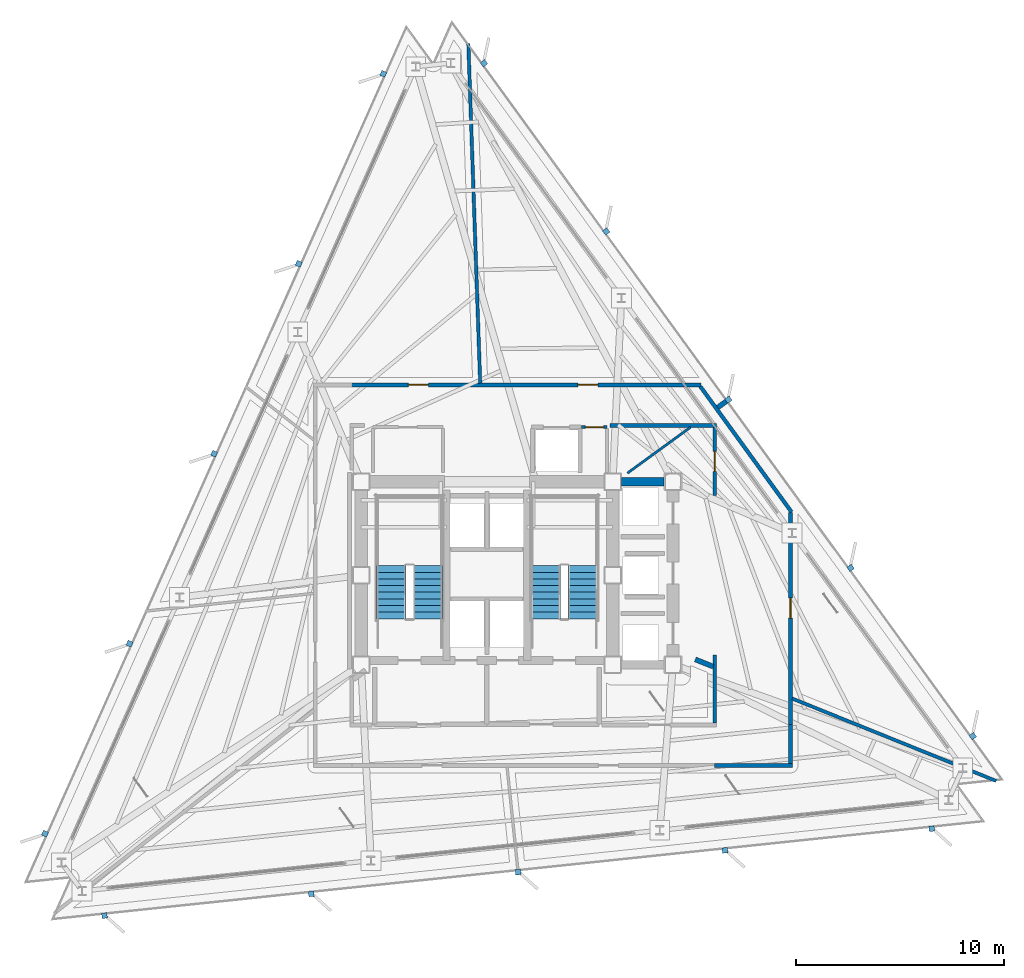
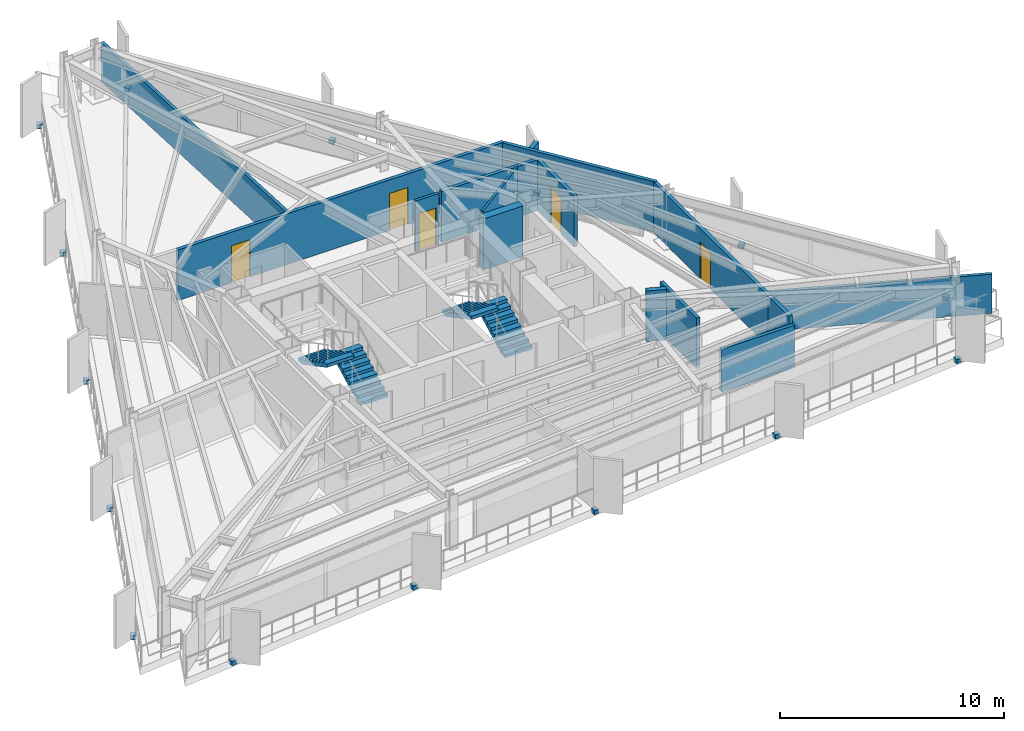
# One storey, part 9 of 12: 15 discrete accessories, 15 walls, 5 doors, 4 stair flights, 5 openings, 2 elements without a shape of their own.
"""IFC4 building model written with IfcOpenShell, lengths in metres."""

import ifcopenshell
import ifcopenshell.guid

model = None  # the IFC model being written
_history = None  # IfcOwnerHistory: only IFC2X3 demands one
_inside = {}  # id of a spatial element -> (the spatial element, [elements in it])
_under = {}  # id of a project, library or spatial element -> (it, [spatial elements below it])
_declared = {}  # id of a project -> (the project, [libraries it declares])
_typed = {}  # id of a type object -> (the type object, [elements of that type])
_made_of = {}  # id of a material, layer set ... -> (it, [elements and type objects made of it])


def new_model(schema):
    """Start an empty IFC model of exactly this schema.

    Asked for "IFC4X3", IfcOpenShell would pick the latest addendum, in which some entities
    have other attributes; the version numbers below select the first issue.
    IFC2X3 requires an IfcOwnerHistory on every rooted entity: one is made here for all.
    """
    global model, _history
    if schema == "IFC4X3":
        model = ifcopenshell.file(schema_version=(4, 3, 0, 0))
    else:
        model = ifcopenshell.file(schema=schema)
    _inside.clear()
    _under.clear()
    _declared.clear()
    _typed.clear()
    _made_of.clear()
    _history = None
    if model.schema == "IFC2X3":
        org = make("IfcOrganization", Name="unknown")
        user = make(
            "IfcPersonAndOrganization",
            ThePerson=make("IfcPerson", FamilyName="unknown"),
            TheOrganization=org,
        )
        app = make(
            "IfcApplication",
            ApplicationDeveloper=org,
            Version="unknown",
            ApplicationFullName="unknown",
            ApplicationIdentifier="unknown",
        )
        _history = make(
            "IfcOwnerHistory",
            OwningUser=user,
            OwningApplication=app,
            ChangeAction="ADDED",
            CreationDate=0,
        )
    return model


def make(cls, **values):
    """One entity of the class cls with the attributes given. An attribute that is None is left unset."""
    return model.create_entity(
        cls, **{name: value for name, value in values.items() if value is not None}
    )


def rooted(cls, **values):
    """An entity with a GlobalId (a new one), such as an element, a storey or a relation."""
    return make(cls, GlobalId=ifcopenshell.guid.new(), OwnerHistory=_history, **values)


def si_unit(unit_type, name, prefix=None):
    """IfcSIUnit, for example si_unit("LENGTHUNIT", "METRE", prefix="MILLI")."""
    return make("IfcSIUnit", UnitType=unit_type, Prefix=prefix, Name=name)


def assignment(units):
    """IfcUnitAssignment: the units of a project."""
    return None if units is None else make("IfcUnitAssignment", Units=units)


def point(xyz):
    """IfcCartesianPoint."""
    return None if xyz is None else make("IfcCartesianPoint", Coordinates=xyz)


def direction(xyz):
    """IfcDirection."""
    return None if xyz is None else make("IfcDirection", DirectionRatios=xyz)


def frame(location, z_axis=None, x_axis=None):
    """IfcAxis2Placement3D, a coordinate frame: its origin and axes. An axis left out is left unset."""
    return make(
        "IfcAxis2Placement3D",
        Location=point(location),
        Axis=direction(z_axis),
        RefDirection=direction(x_axis),
    )


def frame_2d(location, x_axis=None):
    """IfcAxis2Placement2D, a coordinate frame in the plane: its origin and x axis."""
    return make(
        "IfcAxis2Placement2D", Location=point(location), RefDirection=direction(x_axis)
    )


def origin():
    """The frame at (0, 0, 0) with its axes left unset."""
    return frame((0.0, 0.0, 0.0))


def origin_2d():
    """The frame at (0, 0) in the plane with its x axis left unset."""
    return frame_2d((0.0, 0.0))


def place(relative_to, where):
    """IfcLocalPlacement: puts the frame where relative to a parent placement (None: the world)."""
    return make(
        "IfcLocalPlacement", PlacementRelTo=relative_to, RelativePlacement=where
    )


def context(
    kind, dimensions, precision=None, world=None, true_north=None, identifier=None
):
    """IfcGeometricRepresentationContext, for example the 3D "Model" context."""
    return make(
        "IfcGeometricRepresentationContext",
        ContextIdentifier=identifier,
        ContextType=kind,
        CoordinateSpaceDimension=dimensions,
        Precision=precision,
        WorldCoordinateSystem=world,
        TrueNorth=true_north,
    )


def subcontext(parent, identifier, kind, view, scale=None):
    """IfcGeometricRepresentationSubContext, for example "Body" below "Model"."""
    return make(
        "IfcGeometricRepresentationSubContext",
        ContextIdentifier=identifier,
        ContextType=kind,
        ParentContext=parent,
        TargetScale=scale,
        TargetView=view,
    )


def project(units=None, contexts=None):
    """IfcProject with its units and contexts."""
    return rooted(
        "IfcProject",
        Name="project",
        RepresentationContexts=contexts,
        UnitsInContext=assignment(units),
    )


def spatial(cls, under=None, at=None, **own):
    """A site, building, storey or space (cls), placed at a placement, below another one or the project."""
    s = rooted(cls, ObjectPlacement=at, **own)
    if under is not None:
        _under.setdefault(under.id(), (under, []))[1].append(s)
    return s


def polyline(points):
    """IfcPolyline through the points."""
    return make("IfcPolyline", Points=[point(p) for p in points])


def profile(cls, at=None, kind="AREA", **sizes):
    """A parametric profile (cls). Its sizes go by their IFC names, for example OverallWidth=200.0."""
    return make(cls, ProfileType=kind, Position=at, **sizes)


def rectangle(**sizes):
    """IfcRectangleProfileDef."""
    return profile("IfcRectangleProfileDef", **sizes)


def outline(outer, holes=None, kind="AREA"):
    """IfcArbitraryClosedProfileDef: a profile drawn as a closed curve; with holes, ...WithVoids."""
    if holes is None:
        return make("IfcArbitraryClosedProfileDef", ProfileType=kind, OuterCurve=outer)
    return make(
        "IfcArbitraryProfileDefWithVoids",
        ProfileType=kind,
        OuterCurve=outer,
        InnerCurves=holes,
    )


def extrude(swept, where, along, depth):
    """IfcExtrudedAreaSolid: the profile swept, set in the frame where, extruded along a direction by depth."""
    return make(
        "IfcExtrudedAreaSolid",
        SweptArea=swept,
        Position=where,
        ExtrudedDirection=direction(along),
        Depth=depth,
    )


def shape(context_of_items, identifier, shape_type, items):
    """IfcShapeRepresentation: the items that make up one representation, for example the "Body"."""
    return make(
        "IfcShapeRepresentation",
        ContextOfItems=context_of_items,
        RepresentationIdentifier=identifier,
        RepresentationType=shape_type,
        Items=items,
    )


def material(Name=None, Category=None):
    """IfcMaterial."""
    return make("IfcMaterial", Name=Name, Category=Category)


def layer(
    of_material, thickness, ventilated=None, Name=None, Category=None, Priority=None
):
    """IfcMaterialLayer: one layer of a wall or slab, of a material (None: an air gap)."""
    return make(
        "IfcMaterialLayer",
        Material=of_material,
        LayerThickness=thickness,
        IsVentilated=ventilated,
        Name=Name,
        Category=Category,
        Priority=Priority,
    )


def layer_set(layers, Name=None):
    """IfcMaterialLayerSet."""
    return make("IfcMaterialLayerSet", MaterialLayers=layers, LayerSetName=Name)


def made_of(thing, what):
    """Note that an element or type object is made of a material, layer set ...; save() writes the relation."""
    if what is not None:
        _made_of.setdefault(what.id(), (what, []))[1].append(thing)
    return thing


def type_object(cls, material=None, **own):
    """A type object (cls), such as IfcWallType, which elements share."""
    return made_of(rooted(cls, **own), material)


def element(
    cls,
    number,
    at=None,
    inside=None,
    cuts=None,
    type_object=None,
    material=None,
    context=None,
    identifier="Body",
    shape_type=None,
    held_by="IfcProductDefinitionShape",
    body=None,
    shapes=None,
    **own,
):
    """One element of the class cls, such as IfcWall. Its Tag is "e" and its number.

    at: its placement. inside: the storey or other place that contains it. cuts: it is an
    opening in that element (IfcRelVoidsElement). A single representation is given by context,
    identifier, shape_type and body (its items); several are given by shapes. held_by: the class
    of the entity that holds the representations. save() writes the other relations.
    """
    e = rooted(cls, Tag="e%d" % number, ObjectPlacement=at, **own)
    if body is not None:
        shapes = [shape(context, identifier, shape_type, body)]
    if shapes is not None:
        e.Representation = make(held_by, Representations=shapes)
    if inside is not None:
        _inside.setdefault(inside.id(), (inside, []))[1].append(e)
    if cuts is not None:
        rooted(
            "IfcRelVoidsElement", RelatingBuildingElement=cuts, RelatedOpeningElement=e
        )
    if type_object is not None:
        _typed.setdefault(type_object.id(), (type_object, []))[1].append(e)
    return made_of(e, material)


def fill(opening, filler):
    """IfcRelFillsElement: the door or window that sits in an opening."""
    return rooted(
        "IfcRelFillsElement",
        RelatingOpeningElement=opening,
        RelatedBuildingElement=filler,
    )


def aggregate(whole, parts):
    """IfcRelAggregates: a whole, such as a stair, and the parts it consists of."""
    return rooted("IfcRelAggregates", RelatingObject=whole, RelatedObjects=parts)


def save(model, path):
    """Write the relations noted so far, then the file.

    IfcRelAggregates (storeys below a building ...), IfcRelContainedInSpatialStructure (elements
    in a storey), IfcRelDefinesByType, IfcRelAssociatesMaterial and IfcRelDeclares: one each for
    every whole, place, type object, material and project.
    """
    for whole, parts in _under.values():
        aggregate(whole, parts)
    for where, things in _inside.values():
        rooted(
            "IfcRelContainedInSpatialStructure",
            RelatedElements=things,
            RelatingStructure=where,
        )
    for kind, things in _typed.values():
        rooted("IfcRelDefinesByType", RelatedObjects=things, RelatingType=kind)
    for what, things in _made_of.values():
        rooted("IfcRelAssociatesMaterial", RelatedObjects=things, RelatingMaterial=what)
    for by, libraries in _declared.values():
        rooted("IfcRelDeclares", RelatingContext=by, RelatedDefinitions=libraries)
    model.write(path)


model = new_model("IFC4")

# Units and contexts
model_context = context("Model", 3, precision=1e-05, world=origin(), true_north=direction((0.0, 1.0)))
body_context = subcontext(model_context, "Body", "Model", "MODEL_VIEW")
ifc_project = project(units=[si_unit("LENGTHUNIT", "METRE"), si_unit("AREAUNIT", "SQUARE_METRE"), si_unit("VOLUMEUNIT", "CUBIC_METRE"), si_unit("PLANEANGLEUNIT", "RADIAN"), si_unit("MASSUNIT", "GRAM", prefix="KILO")], contexts=[model_context])

# Site, building, storey
site_placement = place(None, origin())
site = spatial("IfcSite", under=ifc_project, at=site_placement, CompositionType="ELEMENT")
building_placement = place(site_placement, origin())
building = spatial("IfcBuilding", under=site, at=building_placement, Name="Rocaltana Carrier Exchange", CompositionType="ELEMENT")
storey_placement = place(building_placement, frame((0.0, 0.0, 104.639892578125)))
storey = spatial("IfcBuildingStorey", under=building, at=storey_placement, Name="L32", CompositionType="ELEMENT", Elevation=104.639892578125)

# Walls
ifc_material_1 = material(Name="Double Acoustic Gypsum Partition", Category="gypsum")
ifc_layer_1 = layer(ifc_material_1, 0.159912109375)
ifc_layer_set_1 = layer_set([ifc_layer_1], Name="Double Acoustic Gypsum Partition")
wall_type_1 = type_object("IfcWallType", Name="Acoustic Studio Partition 160 EI60", PredefinedType="PARTITIONING", material=ifc_layer_set_1)
wall_1_placement = place(storey_placement, frame((14.679931640625, -5.93115234375, 0.0), z_axis=(0.0, 0.0, 1.0), x_axis=(0.927187622353, -0.374597267682, 0.0)))
element("IfcWall", 1, at=wall_1_placement, inside=storey, type_object=wall_type_1, Name="L32 Suite Divider Wall D6", PredefinedType="PARTITIONING", context=body_context, shape_type="SweptSolid", body=[
    extrude(rectangle(XDim=10.586181640625, YDim=0.159912109375, at=frame_2d((5.29296875, 0.0))), origin(), (0.0, 0.0, 1.0), 2.132080078125),
])
wall_2_placement = place(storey_placement, frame((-0.322265625, 9.22998046875, 0.0), z_axis=(0.0, 0.0, 1.0), x_axis=(-0.034907078812, 0.999390562217, 0.0)))
element("IfcWall", 2, at=wall_2_placement, inside=storey, type_object=wall_type_1, Name="L32 Suite Divider Wall D9", PredefinedType="PARTITIONING", context=body_context, shape_type="SweptSolid", body=[
    extrude(rectangle(XDim=16.35205078125, YDim=0.159912109375, at=frame_2d((8.176025390625, 0.0))), origin(), (0.0, 0.0, 1.0), 2.132080078125),
])
ifc_material_2 = material(Name="Concrete C50/60", Category="concrete")
ifc_layer_2 = layer(ifc_material_2, 0.39990234375)
ifc_layer_set_2 = layer_set([ifc_layer_2], Name="Concrete C50/60")
wall_type_2 = type_object("IfcWallType", Name="Core Internal Shear Wall 400", PredefinedType="SHEAR", material=ifc_layer_set_2)
wall_3_placement = place(storey_placement, frame((6.47509765625, 4.5, 0.0), z_axis=(0.0, 0.0, 1.0), x_axis=(1.0, 0.0, 0.0)))
element("IfcWall", 3, at=wall_3_placement, inside=storey, type_object=wall_type_2, Name="L32 Core Shear Wall CW-EWN", PredefinedType="SHEAR", context=body_context, shape_type="SweptSolid", body=[
    extrude(rectangle(XDim=2.0498046875, YDim=0.39990234375, at=frame_2d((1.02490234375, 0.0))), origin(), (0.0, 0.0, 1.0), 2.7880859375),
])

# Wall, openings, doors
ifc_material_3 = material(Name="Gypsum & Steel Stud Partition", Category="steel")
ifc_layer_3 = layer(ifc_material_3, 0.179931640625)
ifc_layer_set_3 = layer_set([ifc_layer_3], Name="Gypsum & Steel Stud Partition")
wall_type_3 = type_object("IfcWallType", Name="Corridor Fire Partition 180 EI60", PredefinedType="PARTITIONING", material=ifc_layer_set_3)
wall_4_placement = place(storey_placement, frame((-6.52001953125, 9.14990234375, 0.0), z_axis=(0.0, 0.0, 1.0), x_axis=(1.0, 0.0, 0.0)))
wall_4 = element("IfcWall", 4, at=wall_4_placement, inside=storey, type_object=wall_type_3, Name="L32 Corridor Partition 6", PredefinedType="PARTITIONING", context=body_context, shape_type="SweptSolid", body=[
    extrude(rectangle(XDim=16.820068359375, YDim=0.179931640625, at=frame_2d((8.41015625, 0.0))), origin(), (0.0, 0.0, 1.0), 2.76318359375),
])
opening_1_placement = place(wall_4_placement, frame((10.8984375, 0.0, 0.0)))
opening_1 = element("IfcOpeningElement", 5, at=opening_1_placement, cuts=wall_4, Name="Opening D-RM098", PredefinedType="OPENING", context=body_context, shape_type="SweptSolid", body=[
    extrude(rectangle(XDim=0.9599609375, YDim=2.02001953125, at=frame_2d((0.47998046875, 1.010009765625))), frame((0.0, 0.099853515625, 0.0), z_axis=(0.0, -1.0, 0.0), x_axis=(1.0, 0.0, 0.0)), (0.0, 0.0, 1.0), 0.199951171875),
])
opening_2_placement = place(wall_4_placement, frame((2.7490234375, 0.0, 0.0)))
opening_2 = element("IfcOpeningElement", 6, at=opening_2_placement, cuts=wall_4, Name="Opening D-RM098", PredefinedType="OPENING", context=body_context, shape_type="SweptSolid", body=[
    extrude(rectangle(XDim=0.9599609375, YDim=2.02001953125, at=frame_2d((0.47998046875, 1.010009765625))), frame((0.0, 0.099853515625, 0.0), z_axis=(0.0, -1.0, 0.0), x_axis=(1.0, 0.0, 0.0)), (0.0, 0.0, 1.0), 0.199951171875),
])
ifc_material_4 = material(Name="Engineered Hardwood Timber", Category="wood")
door_type_1 = type_object("IfcDoorType", Name="Workspace Single Door 960x2020", OperationType="NOTDEFINED", PredefinedType="DOOR", material=ifc_material_4)
door_1_placement = place(opening_1_placement, origin())
door_1 = element("IfcDoor", 7, at=door_1_placement, inside=storey, type_object=door_type_1, Name="L32 Quiet Focus Lounge Entrance Door", OperationType="SINGLE_SWING_RIGHT", OverallHeight=2.02001953125, OverallWidth=0.9599609375, PredefinedType="DOOR", context=body_context, shape_type="SweptSolid", body=[
    extrude(rectangle(XDim=0.9599609375, YDim=2.02001953125, at=frame_2d((0.47998046875, 1.010009765625))), frame((0.0, 0.02490234375, 0.0), z_axis=(0.0, -1.0, 0.0), x_axis=(1.0, 0.0, 0.0)), (0.0, 0.0, 1.0), 0.050048828125),
])
fill(opening_1, door_1)
door_2_placement = place(opening_2_placement, origin())
door_2 = element("IfcDoor", 8, at=door_2_placement, inside=storey, type_object=door_type_1, Name="L32 Cloud Architecture Office Entrance Door", OperationType="SINGLE_SWING_LEFT", OverallHeight=2.02001953125, OverallWidth=0.9599609375, PredefinedType="DOOR", context=body_context, shape_type="SweptSolid", body=[
    extrude(rectangle(XDim=0.9599609375, YDim=2.02001953125, at=frame_2d((0.47998046875, 1.010009765625))), frame((0.0, 0.02490234375, 0.0), z_axis=(0.0, -1.0, 0.0), x_axis=(1.0, 0.0, 0.0)), (0.0, 0.0, 1.0), 0.050048828125),
])
fill(opening_2, door_2)

# Wall
wall_5_placement = place(storey_placement, frame((10.262939453125, 9.0771484375, 0.0), z_axis=(0.0, 0.0, 1.0), x_axis=(0.587780951295, -0.809020119215, 0.0)))
element("IfcWall", 9, at=wall_5_placement, inside=storey, type_object=wall_type_3, Name="L32 Corridor Partition 7", PredefinedType="PARTITIONING", context=body_context, shape_type="SweptSolid", body=[
    extrude(rectangle(XDim=7.468505859375, YDim=0.179931640625, at=frame_2d((3.734375, 0.0))), origin(), (0.0, 0.0, 1.0), 2.76318359375),
])

# Wall, opening, door
wall_6_placement = place(storey_placement, frame((14.60009765625, 3.017578125, 0.0), z_axis=(0.0, 0.0, 1.0), x_axis=(0.0, -1.0, 0.0)))
wall_6 = element("IfcWall", 10, at=wall_6_placement, inside=storey, type_object=wall_type_3, Name="L32 Corridor Partition 8", PredefinedType="PARTITIONING", context=body_context, shape_type="SweptSolid", body=[
    extrude(rectangle(XDim=10.237548828125, YDim=0.179931640625, at=frame_2d((5.11865234375, 0.0))), origin(), (0.0, 0.0, 1.0), 2.76318359375),
])
opening_3_placement = place(wall_6_placement, frame((4.123779296875, 0.0, 0.0)))
opening_3 = element("IfcOpeningElement", 11, at=opening_3_placement, cuts=wall_6, Name="Opening D-RM098", PredefinedType="OPENING", context=body_context, shape_type="SweptSolid", body=[
    extrude(rectangle(XDim=0.9599609375, YDim=2.02001953125, at=frame_2d((0.47998046875, 1.010009765625))), frame((0.0, 0.099853515625, 0.0), z_axis=(0.0, -1.0, 0.0), x_axis=(1.0, 0.0, 0.0)), (0.0, 0.0, 1.0), 0.199951171875),
])
door_3_placement = place(opening_3_placement, origin())
door_3 = element("IfcDoor", 12, at=door_3_placement, inside=storey, type_object=door_type_1, Name="L32 Peering Conference Room Entrance Door", OperationType="SINGLE_SWING_RIGHT", OverallHeight=2.02001953125, OverallWidth=0.9599609375, PredefinedType="DOOR", context=body_context, shape_type="SweptSolid", body=[
    extrude(rectangle(XDim=0.9599609375, YDim=2.02001953125, at=frame_2d((0.47998046875, 1.010009765625))), frame((0.0, 0.02490234375, 0.0), z_axis=(0.0, -1.0, 0.0), x_axis=(1.0, 0.0, 0.0)), (0.0, 0.0, 1.0), 0.050048828125),
])
fill(opening_3, door_3)

# Walls
wall_7_placement = place(storey_placement, frame((14.60009765625, -7.179931640625, 0.0), z_axis=(0.0, 0.0, 1.0), x_axis=(0.0, -1.0, 0.0)))
element("IfcWall", 13, at=wall_7_placement, inside=storey, type_object=wall_type_3, Name="L32 Corridor Partition 9", PredefinedType="PARTITIONING", context=body_context, shape_type="SweptSolid", body=[
    extrude(rectangle(XDim=1.880126953125, YDim=0.179931640625, at=frame_2d((0.93994140625, 0.0))), origin(), (0.0, 0.0, 1.0), 2.76318359375),
])
wall_8_placement = place(storey_placement, frame((14.68994140625, -9.14990234375, 0.0), z_axis=(0.0, 0.0, 1.0), x_axis=(-1.0, 0.0, 0.0)))
element("IfcWall", 14, at=wall_8_placement, inside=storey, type_object=wall_type_3, Name="L32 Corridor Partition 10", PredefinedType="PARTITIONING", context=body_context, shape_type="SweptSolid", body=[
    extrude(rectangle(XDim=3.75, YDim=0.179931640625, at=frame_2d((1.875, 0.0))), origin(), (0.0, 0.0, 1.0), 2.330078125),
])
wall_9_placement = place(storey_placement, frame((10.9599609375, -7.110107421875, 0.0), z_axis=(0.0, 0.0, 1.0), x_axis=(0.0, 1.0, 0.0)))
element("IfcWall", 15, at=wall_9_placement, inside=storey, type_object=wall_type_3, Name="L32 Corridor Partition 13", PredefinedType="PARTITIONING", context=body_context, shape_type="SweptSolid", body=[
    extrude(rectangle(XDim=3.2705078125, YDim=0.179931640625, at=frame_2d((1.63525390625, 0.0))), origin(), (0.0, 0.0, 1.0), 2.76318359375),
])

# Wall, opening, door
wall_10_placement = place(storey_placement, frame((10.9599609375, 3.839599609375, 0.0), z_axis=(0.0, 0.0, 1.0), x_axis=(0.0, 1.0, 0.0)))
wall_10 = element("IfcWall", 16, at=wall_10_placement, inside=storey, type_object=wall_type_3, Name="L32 Corridor Partition 14", PredefinedType="PARTITIONING", context=body_context, shape_type="SweptSolid", body=[
    extrude(rectangle(XDim=3.2705078125, YDim=0.179931640625, at=frame_2d((1.63525390625, 0.0))), origin(), (0.0, 0.0, 1.0), 2.76318359375),
])
opening_4_placement = place(wall_10_placement, frame((1.1552734375, 0.0, 0.0)))
opening_4 = element("IfcOpeningElement", 17, at=opening_4_placement, cuts=wall_10, Name="Opening D-RM098", PredefinedType="OPENING", context=body_context, shape_type="SweptSolid", body=[
    extrude(rectangle(XDim=0.9599609375, YDim=2.02001953125, at=frame_2d((0.47998046875, 1.010009765625))), frame((0.0, 0.099853515625, 0.0), z_axis=(0.0, -1.0, 0.0), x_axis=(1.0, 0.0, 0.0)), (0.0, 0.0, 1.0), 0.199951171875),
])
door_4_placement = place(opening_4_placement, origin())
door_4 = element("IfcDoor", 18, at=door_4_placement, inside=storey, type_object=door_type_1, Name="L32 Network Operations Office Entrance Door", OperationType="SINGLE_SWING_LEFT", OverallHeight=2.02001953125, OverallWidth=0.9599609375, PredefinedType="DOOR", context=body_context, shape_type="SweptSolid", body=[
    extrude(rectangle(XDim=0.9599609375, YDim=2.02001953125, at=frame_2d((0.47998046875, 1.010009765625))), frame((0.0, 0.02490234375, 0.0), z_axis=(0.0, -1.0, 0.0), x_axis=(1.0, 0.0, 0.0)), (0.0, 0.0, 1.0), 0.050048828125),
])
fill(opening_4, door_4)

# Walls
wall_11_placement = place(storey_placement, frame((11.050048828125, 7.199951171875, 0.0), z_axis=(0.0, 0.0, 1.0), x_axis=(-1.0, 0.0, 0.0)))
element("IfcWall", 19, at=wall_11_placement, inside=storey, type_object=wall_type_3, Name="L32 Corridor Partition 15", PredefinedType="PARTITIONING", context=body_context, shape_type="SweptSolid", body=[
    extrude(rectangle(XDim=5.1201171875, YDim=0.179931640625, at=frame_2d((2.56005859375, 0.0))), origin(), (0.0, 0.0, 1.0), 2.76318359375),
])
ifc_material_5 = material(Name="Aluminium 6063-T6 & Acoustic Glass", Category="aluminium")
ifc_layer_4 = layer(ifc_material_5, 0.114990234375)
ifc_layer_set_4 = layer_set([ifc_layer_4], Name="Aluminium 6063-T6 & Acoustic Glass")
wall_type_4 = type_object("IfcWallType", Name="Demountable Glazed Lab Partition 115", PredefinedType="MOVABLE", material=ifc_layer_set_4)
wall_12_placement = place(storey_placement, frame((6.758056640625, 4.909912109375, 0.0), z_axis=(0.0, 0.0, 1.0), x_axis=(0.808985911181, 0.58782803226, 0.0)))
element("IfcWall", 20, at=wall_12_placement, inside=storey, type_object=wall_type_4, Name="L32 Suite Divider Wall D7", PredefinedType="MOVABLE", context=body_context, shape_type="SweptSolid", body=[
    extrude(rectangle(XDim=3.760009765625, YDim=0.114990234375, at=frame_2d((1.8798828125, 0.0))), origin(), (0.0, 0.0, 1.0), 2.76318359375),
])
ifc_material_6 = material(Name="Acoustic Calcium Silicate Partition", Category="gypsum")
ifc_layer_5 = layer(ifc_material_6, 0.239990234375)
ifc_layer_set_5 = layer_set([ifc_layer_5], Name="Acoustic Calcium Silicate Partition")
wall_type_5 = type_object("IfcWallType", Name="Heavy Lab Partition 240 EI90", PredefinedType="PARTITIONING", material=ifc_layer_set_5)
wall_13_placement = place(storey_placement, frame((10.024169921875, -4.050048828125, 0.0), z_axis=(0.0, 0.0, 1.0), x_axis=(0.927194137639, -0.374581140912, 0.0)))
element("IfcWall", 21, at=wall_13_placement, inside=storey, type_object=wall_type_5, Name="L32 Suite Divider Wall D5", PredefinedType="PARTITIONING", context=body_context, shape_type="SweptSolid", body=[
    extrude(rectangle(XDim=0.9228515625, YDim=0.239990234375, at=frame_2d((0.46142578125, 0.0))), origin(), (0.0, 0.0, 1.0), 2.76318359375),
])
wall_14_placement = place(storey_placement, frame((11.098388671875, 8.0634765625, 0.0), z_axis=(0.0, 0.0, 1.0), x_axis=(0.809093866449, 0.587679432408, 0.0)))
element("IfcWall", 22, at=wall_14_placement, inside=storey, type_object=wall_type_5, Name="L32 Suite Divider Wall D8", PredefinedType="PARTITIONING", context=body_context, shape_type="SweptSolid", body=[
    extrude(rectangle(XDim=0.58984375, YDim=0.239990234375, at=frame_2d((0.294921875, 0.0))), origin(), (0.0, 0.0, 1.0), 2.76318359375),
])

# Wall, opening, door
ifc_material_7 = material(Name="Moisture-Resistant Masonry C30/37", Category="masonry")
ifc_layer_6 = layer(ifc_material_7, 0.139892578125)
ifc_layer_set_6 = layer_set([ifc_layer_6], Name="Moisture-Resistant Masonry C30/37")
wall_type_6 = type_object("IfcWallType", Name="Wet-Area Sanitary Partition 140", PredefinedType="PARTITIONING", material=ifc_layer_set_6)
wall_15_placement = place(storey_placement, frame((4.56005859375, 7.1201171875, 0.0), z_axis=(0.0, 0.0, 1.0), x_axis=(1.0, 0.0, 0.0)))
wall_15 = element("IfcWall", 23, at=wall_15_placement, inside=storey, type_object=wall_type_6, Name="L32 Restroom North Wall", PredefinedType="PARTITIONING", context=body_context, shape_type="SweptSolid", body=[
    extrude(rectangle(XDim=1.219970703125, YDim=0.139892578125, at=frame_2d((0.60986328125, 0.0))), origin(), (0.0, 0.0, 1.0), 2.76318359375),
])
opening_5_placement = place(wall_15_placement, frame((0.169921875, 0.0, 0.0)))
opening_5 = element("IfcOpeningElement", 24, at=opening_5_placement, cuts=wall_15, Name="Opening D-WC090", PredefinedType="OPENING", context=body_context, shape_type="SweptSolid", body=[
    extrude(rectangle(XDim=0.8798828125, YDim=2.02001953125, at=frame_2d((0.43994140625, 1.010009765625))), frame((0.0, 0.079833984375, 0.0), z_axis=(0.0, -1.0, 0.0), x_axis=(1.0, 0.0, 0.0)), (0.0, 0.0, 1.0), 0.159912109375),
])
ifc_material_8 = material(Name="High-Pressure Laminate Timber", Category="wood")
door_type_2 = type_object("IfcDoorType", Name="Restroom & Accessible WC Door 880x2020", OperationType="NOTDEFINED", PredefinedType="DOOR", material=ifc_material_8)
door_5_placement = place(opening_5_placement, origin())
door_5 = element("IfcDoor", 25, at=door_5_placement, inside=storey, type_object=door_type_2, Name="L32 Staff Restroom Door", OperationType="SINGLE_SWING_LEFT", OverallHeight=2.02001953125, OverallWidth=0.8798828125, PredefinedType="DOOR", context=body_context, shape_type="SweptSolid", body=[
    extrude(rectangle(XDim=0.8798828125, YDim=2.02001953125, at=frame_2d((0.43994140625, 1.010009765625))), frame((0.0, 0.02490234375, 0.0), z_axis=(0.0, -1.0, 0.0), x_axis=(1.0, 0.0, 0.0)), (0.0, 0.0, 1.0), 0.050048828125),
])
fill(opening_5, door_5)

# Stair, stair flights
ifc_material_9 = material(Name="Precast concrete C45/55", Category="concrete")
stair_type = type_object("IfcStairType", Name="Standard Dog-Leg Stair 160", PredefinedType="HALF_TURN_STAIR", material=ifc_material_9)
stair_1_placement = place(storey_placement, origin())
stair_1 = element("IfcStair", 26, at=stair_1_placement, inside=storey, type_object=stair_type, Name="L32 Core West Exit Stair ST-1", PredefinedType="HALF_TURN_STAIR")
ifc_material_10 = material(Name="Precast concrete C45/55", Category="concrete")
stair_flight_type = type_object("IfcStairFlightType", Name="Precast Stair Flight 160", PredefinedType="STRAIGHT", material=ifc_material_10)
stair_flight_1_placement = place(storey_placement, frame((-2.840087890625, -2.10009765625, 0.0), z_axis=(0.0, 0.0, 1.0), x_axis=(0.0, 1.0, 0.0)))
stair_flight_1 = element("IfcStairFlight", 27, at=stair_flight_1_placement, type_object=stair_flight_type, Name="ST-1 flight 1", NumberOfRisers=9, NumberOfTreads=8, PredefinedType="STRAIGHT", RiserHeight=0.168888889, TreadLength=0.32, context=body_context, shape_type="SweptSolid", body=[
    extrude(outline(polyline([(0.0, 0.0), (0.0, 0.1689453125), (0.320068359375, 0.1689453125), (0.320068359375, 0.337890625), (0.639892578125, 0.337890625), (0.639892578125, 0.506591796875), (0.9599609375, 0.506591796875), (0.9599609375, 0.675537109375), (1.280029296875, 0.675537109375), (1.280029296875, 0.844482421875), (1.60009765625, 0.844482421875), (1.60009765625, 1.013427734375), (1.919921875, 1.013427734375), (1.919921875, 1.18212890625), (2.239990234375, 1.18212890625), (2.239990234375, 1.35107421875), (2.56005859375, 1.35107421875), (2.56005859375, 1.52001953125), (2.56005859375, 1.17041015625), (0.342529296875, 0.0), (0.0, 0.0)])), frame((0.0, 0.699951171875, 0.0), z_axis=(0.0, -1.0, 0.0), x_axis=(1.0, 0.0, 0.0)), (0.0, 0.0, 1.0), 1.39990234375),
])
stair_flight_2_placement = place(storey_placement, frame((-4.60009765625, 0.4599609375, 1.52001953125), z_axis=(0.0, 0.0, 1.0), x_axis=(0.0, -1.0, 0.0)))
stair_flight_2 = element("IfcStairFlight", 28, at=stair_flight_2_placement, type_object=stair_flight_type, Name="ST-1 flight 2", NumberOfRisers=9, NumberOfTreads=8, PredefinedType="STRAIGHT", RiserHeight=0.168888889, TreadLength=0.32, context=body_context, shape_type="SweptSolid", body=[
    extrude(outline(polyline([(0.0, 0.0), (0.0, 0.1689453125), (0.320068359375, 0.1689453125), (0.320068359375, 0.337890625), (0.639892578125, 0.337890625), (0.639892578125, 0.506591796875), (0.9599609375, 0.506591796875), (0.9599609375, 0.675537109375), (1.280029296875, 0.675537109375), (1.280029296875, 0.844482421875), (1.60009765625, 0.844482421875), (1.60009765625, 1.013427734375), (1.919921875, 1.013427734375), (1.919921875, 1.18212890625), (2.239990234375, 1.18212890625), (2.239990234375, 1.35107421875), (2.56005859375, 1.35107421875), (2.56005859375, 1.52001953125), (2.56005859375, 1.17041015625), (0.342529296875, 0.0), (0.0, 0.0)])), frame((0.0, 0.699951171875, 0.0), z_axis=(0.0, -1.0, 0.0), x_axis=(1.0, 0.0, 0.0)), (0.0, 0.0, 1.0), 1.39990234375),
])
aggregate(stair_1, [stair_flight_1, stair_flight_2])

stair_2_placement = place(storey_placement, origin())
stair_2 = element("IfcStair", 29, at=stair_2_placement, inside=storey, type_object=stair_type, Name="L32 Core East Exit Stair ST-2", PredefinedType="HALF_TURN_STAIR")
stair_flight_3_placement = place(storey_placement, frame((4.60009765625, -2.10009765625, 0.0), z_axis=(0.0, 0.0, 1.0), x_axis=(0.0, 1.0, 0.0)))
stair_flight_3 = element("IfcStairFlight", 30, at=stair_flight_3_placement, type_object=stair_flight_type, Name="ST-2 flight 1", NumberOfRisers=9, NumberOfTreads=8, PredefinedType="STRAIGHT", RiserHeight=0.168888889, TreadLength=0.32, context=body_context, shape_type="SweptSolid", body=[
    extrude(outline(polyline([(0.0, 0.0), (0.0, 0.1689453125), (0.320068359375, 0.1689453125), (0.320068359375, 0.337890625), (0.639892578125, 0.337890625), (0.639892578125, 0.506591796875), (0.9599609375, 0.506591796875), (0.9599609375, 0.675537109375), (1.280029296875, 0.675537109375), (1.280029296875, 0.844482421875), (1.60009765625, 0.844482421875), (1.60009765625, 1.013427734375), (1.919921875, 1.013427734375), (1.919921875, 1.18212890625), (2.239990234375, 1.18212890625), (2.239990234375, 1.35107421875), (2.56005859375, 1.35107421875), (2.56005859375, 1.52001953125), (2.56005859375, 1.17041015625), (0.342529296875, 0.0), (0.0, 0.0)])), frame((0.0, 0.699951171875, 0.0), z_axis=(0.0, -1.0, 0.0), x_axis=(1.0, 0.0, 0.0)), (0.0, 0.0, 1.0), 1.39990234375),
])
stair_flight_4_placement = place(storey_placement, frame((2.840087890625, 0.4599609375, 1.52001953125), z_axis=(0.0, 0.0, 1.0), x_axis=(0.0, -1.0, 0.0)))
stair_flight_4 = element("IfcStairFlight", 31, at=stair_flight_4_placement, type_object=stair_flight_type, Name="ST-2 flight 2", NumberOfRisers=9, NumberOfTreads=8, PredefinedType="STRAIGHT", RiserHeight=0.168888889, TreadLength=0.32, context=body_context, shape_type="SweptSolid", body=[
    extrude(outline(polyline([(0.0, 0.0), (0.0, 0.1689453125), (0.320068359375, 0.1689453125), (0.320068359375, 0.337890625), (0.639892578125, 0.337890625), (0.639892578125, 0.506591796875), (0.9599609375, 0.506591796875), (0.9599609375, 0.675537109375), (1.280029296875, 0.675537109375), (1.280029296875, 0.844482421875), (1.60009765625, 0.844482421875), (1.60009765625, 1.013427734375), (1.919921875, 1.013427734375), (1.919921875, 1.18212890625), (2.239990234375, 1.18212890625), (2.239990234375, 1.35107421875), (2.56005859375, 1.35107421875), (2.56005859375, 1.52001953125), (2.56005859375, 1.17041015625), (0.342529296875, 0.0), (0.0, 0.0)])), frame((0.0, 0.699951171875, 0.0), z_axis=(0.0, -1.0, 0.0), x_axis=(1.0, 0.0, 0.0)), (0.0, 0.0, 1.0), 1.39990234375),
])
aggregate(stair_2, [stair_flight_3, stair_flight_4])

# Discrete accessories
ifc_material_11 = material(Name="Brushed Architectural Stainless Metal", Category="steel")
ifc_layer_7 = layer(ifc_material_11, 0.219970703125)
ifc_layer_set_7 = layer_set([ifc_layer_7], Name="Brushed Architectural Stainless Metal")
discrete_accessory_type = type_object("IfcDiscreteAccessoryType", Name="Stainless Fin Slab-Edge Bracket 260x260x220", PredefinedType="BRACKET", material=ifc_layer_set_7)
for number, where, z_axis, x_axis, name in (
    (32, (23.371826171875, -7.74072265625, -0.2099609375), (0.0, 0.0, 1.0), (-0.587785252292, 0.809016994375, 0.0), "L32 Sandstone Fin Edge Bracket F1-01"),
    (33, (17.493896484375, 0.349365234375, -0.2099609375), (0.0, 0.0, 1.0), (-0.587785252292, 0.809016994375, 0.0), "L32 Sandstone Fin Edge Bracket F1-02"),
    (34, (11.6162109375, 8.439697265625, -0.2099609375), (0.0, 0.0, 1.0), (-0.587785252292, 0.809016994375, 0.0), "L32 Sandstone Fin Edge Bracket F1-03"),
    (35, (5.73828125, 16.52978515625, -0.2099609375), (0.0, 0.0, 1.0), (-0.587785252292, 0.809016994375, 0.0), "L32 Sandstone Fin Edge Bracket F1-04"),
    (36, (-0.1396484375, 24.619873046875, -0.2099609375), (0.0, 0.0, 1.0), (-0.587785252292, 0.809016994375, 0.0), "L32 Sandstone Fin Edge Bracket F1-05"),
    (37, (-4.982177734375, 24.111083984375, -0.2099609375), (0.0, 0.0, 1.0), (-0.406736643076, -0.913545457643, 0.0), "L32 Sandstone Fin Edge Bracket F2-01"),
    (38, (-9.049560546875, 14.9755859375, -0.2099609375), (0.0, 0.0, 1.0), (-0.406736643076, -0.913545457643, 0.0), "L32 Sandstone Fin Edge Bracket F2-02"),
    (39, (-13.116943359375, 5.840087890625, -0.2099609375), (0.0, 0.0, 1.0), (-0.406736643076, -0.913545457643, 0.0), "L32 Sandstone Fin Edge Bracket F2-03"),
    (40, (-17.184326171875, -3.29541015625, -0.2099609375), (0.0, 0.0, 1.0), (-0.406736643076, -0.913545457643, 0.0), "L32 Sandstone Fin Edge Bracket F2-04"),
    (41, (-21.251708984375, -12.430908203125, -0.2099609375), (0.0, 0.0, 1.0), (-0.406736643076, -0.913545457643, 0.0), "L32 Sandstone Fin Edge Bracket F2-05"),
    (42, (-18.3896484375, -16.3701171875, -0.2099609375), (0.0, 0.0, 1.0), (0.994521895368, 0.104528463268, 0.0), "L32 Sandstone Fin Edge Bracket F3-01"),
    (43, (-8.4443359375, -15.324951171875, -0.2099609375), (0.0, 0.0, 1.0), (0.994521895368, 0.104528463268, 0.0), "L32 Sandstone Fin Edge Bracket F3-02"),
    (44, (1.500732421875, -14.279541015625, -0.2099609375), (0.0, 0.0, 1.0), (0.994521895368, 0.104528463268, 0.0), "L32 Sandstone Fin Edge Bracket F3-03"),
    (45, (11.446044921875, -13.234375, -0.2099609375), (0.0, 0.0, 1.0), (0.994521895368, 0.104528463268, 0.0), "L32 Sandstone Fin Edge Bracket F3-04"),
    (46, (21.391357421875, -12.189208984375, -0.2099609375), (0.0, 0.0, 1.0), (0.994521895368, 0.104528463268, 0.0), "L32 Sandstone Fin Edge Bracket F3-05"),
):
    element("IfcDiscreteAccessory", number, at=place(storey_placement, frame(where, z_axis=z_axis, x_axis=x_axis)), inside=storey, type_object=discrete_accessory_type, Name=name, PredefinedType="BRACKET", context=body_context, shape_type="SweptSolid", body=[
        extrude(rectangle(XDim=0.260009765625, YDim=0.260009765625, at=origin_2d()), origin(), (0.0, 0.0, 1.0), 0.219970703125),
    ])

save(model, "model.ifc")
